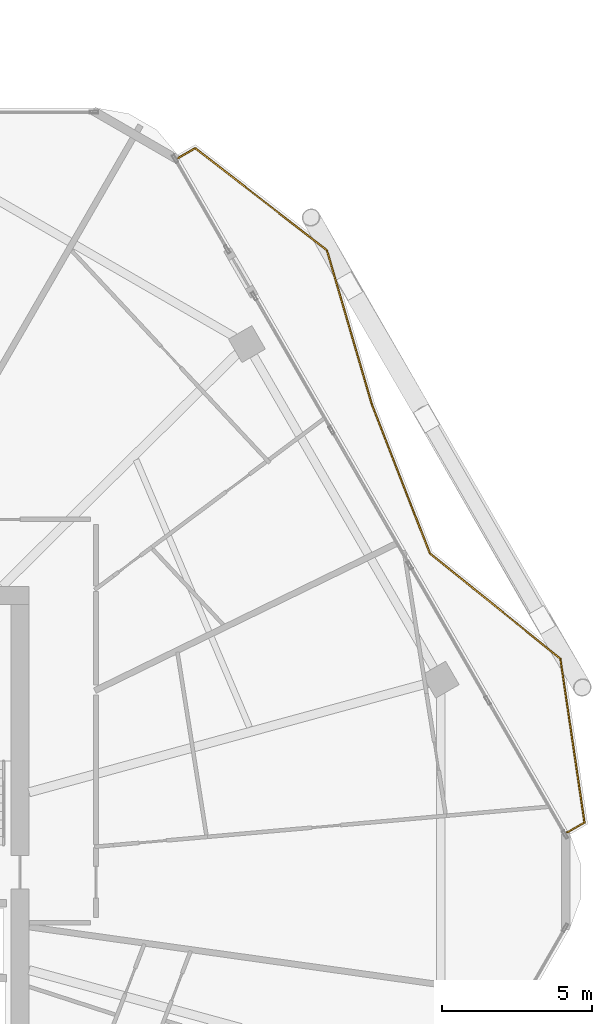
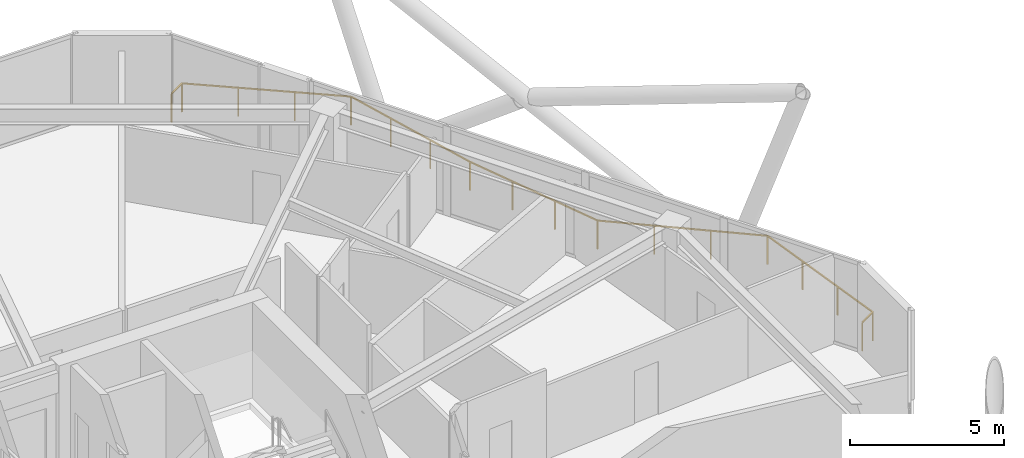
# One storey, part 27 of 27: 1 railing.
"""IFC4 building model written with IfcOpenShell, lengths in metres."""

from ifc_helpers import new_model, si_unit, direction, frame, origin, origin_2d, place, context, subcontext, project, spatial, rectangle, extrude, material, type_object, element, save


model = new_model("IFC4")

# Units and contexts
model_context = context("Model", 3, precision=1e-05, world=origin(), true_north=direction((0.0, 1.0)))
body_context = subcontext(model_context, "Body", "Model", "MODEL_VIEW")
ifc_project = project(units=[si_unit("LENGTHUNIT", "METRE"), si_unit("AREAUNIT", "SQUARE_METRE"), si_unit("VOLUMEUNIT", "CUBIC_METRE"), si_unit("PLANEANGLEUNIT", "RADIAN"), si_unit("MASSUNIT", "GRAM", prefix="KILO")], contexts=[model_context])

# Site, building, storey
site_placement = place(None, origin())
site = spatial("IfcSite", under=ifc_project, at=site_placement, CompositionType="ELEMENT")
building_placement = place(site_placement, origin())
building = spatial("IfcBuilding", under=site, at=building_placement, Name="Zuhravey Tower", CompositionType="ELEMENT")
storey_placement = place(building_placement, frame((0.0, 0.0, 238.800048828125)))
storey = spatial("IfcBuildingStorey", under=building, at=storey_placement, Name="L60", CompositionType="ELEMENT", Elevation=238.800048828125)

# Railing
ifc_material = material(Name="Stainless steel 316 and laminated glass", Category="steel")
railing_type = type_object("IfcRailingType", Name="Balcony & Terrace Guardrail 1150", PredefinedType="BALUSTRADE", material=ifc_material)
railing_placement = place(storey_placement, frame((51.74169921875, 56.031982421875, 0.0)))
element("IfcRailing", 1, at=railing_placement, inside=storey, type_object=railing_type, Name="L60 Face 1 Wave Balcony Guardrail GR1", PredefinedType="BALUSTRADE", context=body_context, shape_type="SweptSolid", body=[
    extrude(rectangle(XDim=0.048095703125, YDim=0.048095703125, at=origin_2d()), frame((0.001708984375, 0.0009765625, 1.1259765625), z_axis=(0.865955892764, 0.500120377296, 0.0), x_axis=(-0.500120377296, 0.865955892764, 0.0)), (0.0, 0.0, 1.0), 0.668701171875),
    extrude(rectangle(XDim=0.048095703125, YDim=0.048095703125, at=origin_2d()), frame((0.583984375, 0.335205078125, 1.1259765625), z_axis=(0.79049778683, -0.61246489615, 0.0), x_axis=(0.61246489615, 0.79049778683, 0.0)), (0.0, 0.0, 1.0), 5.531982421875),
    extrude(rectangle(XDim=0.048095703125, YDim=0.048095703125, at=origin_2d()), frame((4.959228515625, -3.05615234375, 1.1259765625), z_axis=(0.280257980797, -0.959924717985, 0.0), x_axis=(0.959924717985, 0.280257980797, 0.0)), (0.0, 0.0, 1.0), 5.337646484375),
    extrude(rectangle(XDim=0.048095703125, YDim=0.048095703125, at=origin_2d()), frame((6.45654296875, -8.183837890625, 1.1259765625), z_axis=(0.362652638485, -0.931924387383, 0.0), x_axis=(0.931924387383, 0.362652638485, 0.0)), (0.0, 0.0, 1.0), 5.304931640625),
    extrude(rectangle(XDim=0.048095703125, YDim=0.048095703125, at=origin_2d()), frame((8.382568359375, -13.130615234375, 1.1259765625), z_axis=(0.778090083229, -0.628152706259, 0.0), x_axis=(0.628152706259, 0.778090083229, 0.0)), (0.0, 0.0, 1.0), 5.574462890625),
    extrude(rectangle(XDim=0.048095703125, YDim=0.048095703125, at=origin_2d()), frame((12.721923828125, -16.635498046875, 1.1259765625), z_axis=(0.145654875752, -0.989335462404, 0.0), x_axis=(0.989335462404, 0.145654875752, 0.0)), (0.0, 0.0, 1.0), 5.50048828125),
    extrude(rectangle(XDim=0.048095703125, YDim=0.048095703125, at=origin_2d()), frame((13.521728515625, -22.080322265625, 1.1259765625), z_axis=(-0.866088799389, -0.499890179513, 0.0), x_axis=(0.499890179513, -0.866088799389, 0.0)), (0.0, 0.0, 1.0), 0.66796875),
    extrude(rectangle(XDim=0.0419921875, YDim=0.0419921875, at=origin_2d()), origin(), (0.0, 0.0, 1.0), 1.099853515625),
    extrude(rectangle(XDim=0.0419921875, YDim=0.0419921875, at=origin_2d()), frame((0.58251953125, 0.33642578125, 0.0)), (0.0, 0.0, 1.0), 1.099853515625),
    extrude(rectangle(XDim=0.0419921875, YDim=0.0419921875, at=origin_2d()), frame((2.041259765625, -0.793701171875, 0.0)), (0.0, 0.0, 1.0), 1.099853515625),
    extrude(rectangle(XDim=0.0419921875, YDim=0.0419921875, at=origin_2d()), frame((3.5, -1.924072265625, 0.0)), (0.0, 0.0, 1.0), 1.099853515625),
    extrude(rectangle(XDim=0.0419921875, YDim=0.0419921875, at=origin_2d()), frame((4.958740234375, -3.05419921875, 0.0)), (0.0, 0.0, 1.0), 1.099853515625),
    extrude(rectangle(XDim=0.0419921875, YDim=0.0419921875, at=origin_2d()), frame((5.457763671875, -4.763427734375, 0.0)), (0.0, 0.0, 1.0), 1.099853515625),
    extrude(rectangle(XDim=0.0419921875, YDim=0.0419921875, at=origin_2d()), frame((5.956787109375, -6.47265625, 0.0)), (0.0, 0.0, 1.0), 1.099853515625),
    extrude(rectangle(XDim=0.0419921875, YDim=0.0419921875, at=origin_2d()), frame((6.455810546875, -8.181884765625, 0.0)), (0.0, 0.0, 1.0), 1.099853515625),
    extrude(rectangle(XDim=0.0419921875, YDim=0.0419921875, at=origin_2d()), frame((7.09765625, -9.8310546875, 0.0)), (0.0, 0.0, 1.0), 1.099853515625),
    extrude(rectangle(XDim=0.0419921875, YDim=0.0419921875, at=origin_2d()), frame((7.7392578125, -11.480224609375, 0.0)), (0.0, 0.0, 1.0), 1.099853515625),
    extrude(rectangle(XDim=0.0419921875, YDim=0.0419921875, at=origin_2d()), frame((8.381103515625, -13.12939453125, 0.0)), (0.0, 0.0, 1.0), 1.099853515625),
    extrude(rectangle(XDim=0.0419921875, YDim=0.0419921875, at=origin_2d()), frame((9.827880859375, -14.29736328125, 0.0)), (0.0, 0.0, 1.0), 1.099853515625),
    extrude(rectangle(XDim=0.0419921875, YDim=0.0419921875, at=origin_2d()), frame((11.27490234375, -15.465576171875, 0.0)), (0.0, 0.0, 1.0), 1.099853515625),
    extrude(rectangle(XDim=0.0419921875, YDim=0.0419921875, at=origin_2d()), frame((12.7216796875, -16.633544921875, 0.0)), (0.0, 0.0, 1.0), 1.099853515625),
    extrude(rectangle(XDim=0.0419921875, YDim=0.0419921875, at=origin_2d()), frame((12.989013671875, -18.44873046875, 0.0)), (0.0, 0.0, 1.0), 1.099853515625),
    extrude(rectangle(XDim=0.0419921875, YDim=0.0419921875, at=origin_2d()), frame((13.256103515625, -20.26416015625, 0.0)), (0.0, 0.0, 1.0), 1.099853515625),
    extrude(rectangle(XDim=0.0419921875, YDim=0.0419921875, at=origin_2d()), frame((13.5234375, -22.079345703125, 0.0)), (0.0, 0.0, 1.0), 1.099853515625),
    extrude(rectangle(XDim=0.0419921875, YDim=0.0419921875, at=origin_2d()), frame((12.94140625, -22.415283203125, 0.0)), (0.0, 0.0, 1.0), 1.099853515625),
])

save(model, "model.ifc")
